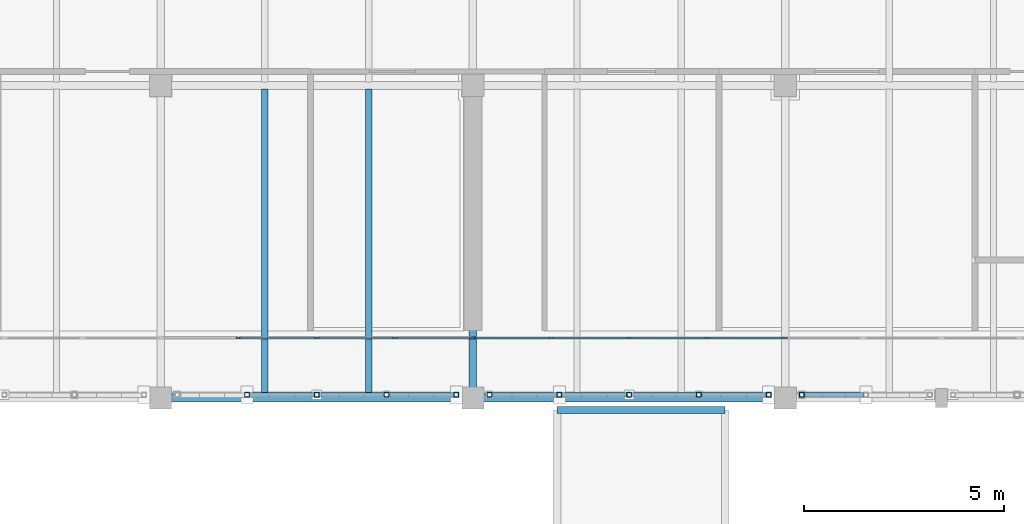
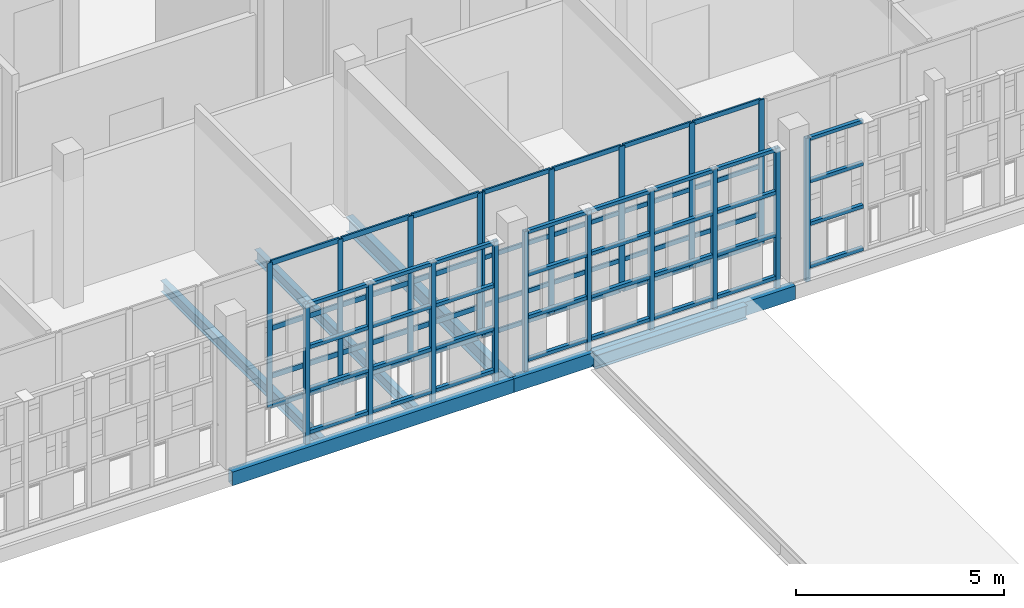
# One storey, part 52 of 119: 79 members, 6 beams, 2 elements without a shape of their own.
"""IFC4 building model written with IfcOpenShell, lengths in metres."""

from ifc_helpers import new_model, si_unit, direction, frame, origin, origin_2d, place, context, subcontext, project, spatial, rectangle, hollow_rectangle, i_section, extrude, material, layer, layer_set, material_profile, profile_set, type_object, element, aggregate, save


model = new_model("IFC4")

# Units and contexts
model_context = context("Model", 3, precision=1e-05, world=origin(), true_north=direction((0.0, 1.0)))
body_context = subcontext(model_context, "Body", "Model", "MODEL_VIEW")
ifc_project = project(units=[si_unit("LENGTHUNIT", "METRE"), si_unit("AREAUNIT", "SQUARE_METRE"), si_unit("VOLUMEUNIT", "CUBIC_METRE"), si_unit("PLANEANGLEUNIT", "RADIAN"), si_unit("MASSUNIT", "GRAM", prefix="KILO")], contexts=[model_context])

# Site, building, storey
site_placement = place(None, origin())
site = spatial("IfcSite", under=ifc_project, at=site_placement, CompositionType="ELEMENT")
building_placement = place(site_placement, origin())
building = spatial("IfcBuilding", under=site, at=building_placement, Name="Celorna Specialist Clinic", CompositionType="ELEMENT")
storey_placement = place(building_placement, frame((0.0, 0.0, 9.60009765625)))
storey = spatial("IfcBuildingStorey", under=building, at=storey_placement, Name="L02", CompositionType="ELEMENT", Elevation=9.60009765625)

# Beams
ifc_material_1 = material(Name="Steel S355", Category="steel")
ifc_material_profile_1 = material_profile(ifc_material_1, i_section(OverallWidth=0.18994140625, OverallDepth=0.449951171875, WebThickness=0.009521484375, FlangeThickness=0.0146484375, at=origin_2d()), Name="IPE 450")
ifc_profile_set_1 = profile_set([ifc_material_profile_1], Name="Steel S355")
beam_type_1 = type_object("IfcBeamType", Name="BM-09", PredefinedType="BEAM", material=ifc_profile_set_1)
beam_1_placement = place(storey_placement, frame((70.199951171875, 96.5, -0.485107421875), z_axis=(0.0, 1.0, 0.0), x_axis=(-1.0, 0.0, 0.0)))
element("IfcBeam", 1, at=beam_1_placement, inside=storey, type_object=beam_type_1, Name="Transverse girder BM-09 #1119", PredefinedType="BEAM", context=body_context, shape_type="SweptSolid", body=[
    extrude(i_section(OverallWidth=0.18994140625, OverallDepth=0.449951171875, WebThickness=0.009521484375, FlangeThickness=0.0146484375, at=origin_2d()), origin(), (0.0, 0.0, 1.0), 7.800048828125),
])
ifc_material_profile_2 = material_profile(ifc_material_1, i_section(OverallWidth=0.179931640625, OverallDepth=0.39990234375, WebThickness=0.008544921875, FlangeThickness=0.013427734375, at=origin_2d()), Name="IPE 400")
ifc_profile_set_2 = profile_set([ifc_material_profile_2], Name="Steel S355")
beam_type_2 = type_object("IfcBeamType", Name="BM-10", PredefinedType="BEAM", material=ifc_profile_set_2)
beam_2_placement = place(storey_placement, frame((72.300048828125, 96.199951171875, -0.340087890625), z_axis=(1.0, 0.0, 0.0), x_axis=(0.0, 1.0, 0.0)))
element("IfcBeam", 2, at=beam_2_placement, inside=storey, type_object=beam_type_2, Name="Bridge BR-04 roof end beam BM-10 #109", PredefinedType="BEAM", context=body_context, shape_type="SweptSolid", body=[
    extrude(i_section(OverallWidth=0.179931640625, OverallDepth=0.39990234375, WebThickness=0.008544921875, FlangeThickness=0.013427734375, at=origin_2d()), origin(), (0.0, 0.0, 1.0), 4.199951171875),
])
ifc_material_profile_3 = material_profile(ifc_material_1, i_section(OverallWidth=0.159912109375, OverallDepth=0.330078125, WebThickness=0.007568359375, FlangeThickness=0.011474609375, at=origin_2d()), Name="IPE 330")
ifc_profile_set_3 = profile_set([ifc_material_profile_3], Name="Steel S355")
beam_type_3 = type_object("IfcBeamType", Name="BM-12", PredefinedType="JOIST", material=ifc_profile_set_3)
for number, where, z_axis, x_axis, name in (
    (3, (65.0, 96.587890625, -0.425048828125), (0.0, 1.0, 0.0), (-1.0, 0.0, 0.0), "Secondary floor joist BM-12 #1155"),
    (4, (67.60009765625, 96.587890625, -0.425048828125), (0.0, 1.0, 0.0), (-1.0, 0.0, 0.0), "Secondary floor joist BM-12 #1156"),
):
    element("IfcBeam", number, at=place(storey_placement, frame(where, z_axis=z_axis, x_axis=x_axis)), inside=storey, type_object=beam_type_3, Name=name, PredefinedType="JOIST", context=body_context, shape_type="SweptSolid", body=[
        extrude(i_section(OverallWidth=0.159912109375, OverallDepth=0.330078125, WebThickness=0.007568359375, FlangeThickness=0.011474609375, at=origin_2d()), origin(), (0.0, 0.0, 1.0), 7.6240234375),
    ])
ifc_material_profile_4 = material_profile(ifc_material_1, hollow_rectangle(XDim=0.199951171875, YDim=0.39990234375, WallThickness=0.011962890625, at=origin_2d()), Name="RHS 200x400x12")
ifc_profile_set_4 = profile_set([ifc_material_profile_4], Name="Steel S355")
beam_type_4 = type_object("IfcBeamType", Name="BM-15", PredefinedType="SPANDREL", material=ifc_profile_set_4)
for number, where, z_axis, x_axis, name in (
    (5, (62.39990234375, 96.5, -0.460205078125), (1.0, 0.0, 0.0), (0.0, 1.0, 0.0), "Spandrel beam BM-15 #1068"),
    (6, (70.199951171875, 96.5, -0.460205078125), (1.0, 0.0, 0.0), (0.0, 1.0, 0.0), "Spandrel beam BM-15 #1069"),
):
    element("IfcBeam", number, at=place(storey_placement, frame(where, z_axis=z_axis, x_axis=x_axis)), inside=storey, type_object=beam_type_4, Name=name, PredefinedType="SPANDREL", context=body_context, shape_type="SweptSolid", body=[
        extrude(hollow_rectangle(XDim=0.199951171875, YDim=0.39990234375, WallThickness=0.011962890625, at=origin_2d()), origin(), (0.0, 0.0, 1.0), 7.800048828125),
    ])

# Members
ifc_material_profile_5 = material_profile(ifc_material_1, hollow_rectangle(XDim=0.1201171875, YDim=0.1201171875, WallThickness=0.008056640625, at=origin_2d()), Name="SHS 120x120x8")
ifc_profile_set_5 = profile_set([ifc_material_profile_5], Name="Steel S355")
member_type_1 = type_object("IfcMemberType", Name="MB-11", PredefinedType="STUD", material=ifc_profile_set_5)
for number, where, z_axis, x_axis, name in (
    (7, (64.5576171875, 96.580078125, -0.360107421875), (0.0, 0.0, 1.0), (1.0, 0.0, 0.0), "Perforated screen steel post #1039"),
    (8, (66.300048828125, 96.580078125, -0.360107421875), (0.0, 0.0, 1.0), (1.0, 0.0, 0.0), "Perforated screen steel post #1040"),
    (9, (68.04248046875, 96.580078125, -0.360107421875), (0.0, 0.0, 1.0), (1.0, 0.0, 0.0), "Perforated screen steel post #1041"),
    (10, (69.784912109375, 96.580078125, -0.360107421875), (0.0, 0.0, 1.0), (1.0, 0.0, 0.0), "Perforated screen steel post #1042"),
    (11, (70.614990234375, 96.580078125, -0.360107421875), (0.0, 0.0, 1.0), (1.0, 0.0, 0.0), "Perforated screen steel post #1059"),
    (12, (72.357421875, 96.580078125, -0.360107421875), (0.0, 0.0, 1.0), (1.0, 0.0, 0.0), "Perforated screen steel post #1060"),
    (13, (74.10009765625, 96.580078125, -0.360107421875), (0.0, 0.0, 1.0), (1.0, 0.0, 0.0), "Perforated screen steel post #1061"),
    (14, (75.842529296875, 96.580078125, -0.360107421875), (0.0, 0.0, 1.0), (1.0, 0.0, 0.0), "Perforated screen steel post #1062"),
    (15, (77.5849609375, 96.580078125, -0.360107421875), (0.0, 0.0, 1.0), (1.0, 0.0, 0.0), "Perforated screen steel post #1063"),
    (16, (78.4150390625, 96.580078125, -0.360107421875), (0.0, 0.0, 1.0), (1.0, 0.0, 0.0), "Perforated screen steel post #1080"),
):
    element("IfcMember", number, at=place(storey_placement, frame(where, z_axis=z_axis, x_axis=x_axis)), inside=storey, type_object=member_type_1, Name=name, PredefinedType="STUD", context=body_context, shape_type="SweptSolid", body=[
        extrude(hollow_rectangle(XDim=0.1201171875, YDim=0.1201171875, WallThickness=0.008056640625, at=origin_2d()), origin(), (0.0, 0.0, 1.0), 4.199951171875),
    ])
ifc_material_profile_6 = material_profile(ifc_material_1, hollow_rectangle(XDim=0.10009765625, YDim=0.10009765625, WallThickness=0.006103515625, at=origin_2d()), Name="SHS 100x100x6")
ifc_profile_set_6 = profile_set([ifc_material_profile_6], Name="Steel S355")
member_type_2 = type_object("IfcMemberType", Name="MB-12", PredefinedType="STUD", material=ifc_profile_set_6)
for number, where, z_axis, x_axis, name in (
    (17, (64.617431640625, 96.580078125, 0.0498046875), (1.0, 0.0, 0.0), (0.0, 1.0, 0.0), "Perforated screen rail #1047"),
    (18, (64.617431640625, 96.580078125, 1.296630859375), (1.0, 0.0, 0.0), (0.0, 1.0, 0.0), "Perforated screen rail #1048"),
    (19, (64.617431640625, 96.580078125, 2.543212890625), (1.0, 0.0, 0.0), (0.0, 1.0, 0.0), "Perforated screen rail #1049"),
    (20, (64.617431640625, 96.580078125, 3.789794921875), (1.0, 0.0, 0.0), (0.0, 1.0, 0.0), "Perforated screen rail #1050"),
):
    element("IfcMember", number, at=place(storey_placement, frame(where, z_axis=z_axis, x_axis=x_axis)), inside=storey, type_object=member_type_2, Name=name, PredefinedType="STUD", context=body_context, shape_type="SweptSolid", body=[
        extrude(hollow_rectangle(XDim=0.10009765625, YDim=0.10009765625, WallThickness=0.006103515625, at=origin_2d()), origin(), (0.0, 0.0, 1.0), 1.62255859375),
    ])
for number, where, z_axis, x_axis, name in (
    (21, (66.360107421875, 96.580078125, 0.0498046875), (1.0, 0.0, 0.0), (0.0, 1.0, 0.0), "Perforated screen rail #1051"),
    (22, (66.360107421875, 96.580078125, 1.296630859375), (1.0, 0.0, 0.0), (0.0, 1.0, 0.0), "Perforated screen rail #1052"),
    (23, (66.360107421875, 96.580078125, 2.543212890625), (1.0, 0.0, 0.0), (0.0, 1.0, 0.0), "Perforated screen rail #1053"),
    (24, (66.360107421875, 96.580078125, 3.789794921875), (1.0, 0.0, 0.0), (0.0, 1.0, 0.0), "Perforated screen rail #1054"),
):
    element("IfcMember", number, at=place(storey_placement, frame(where, z_axis=z_axis, x_axis=x_axis)), inside=storey, type_object=member_type_2, Name=name, PredefinedType="STUD", context=body_context, shape_type="SweptSolid", body=[
        extrude(hollow_rectangle(XDim=0.10009765625, YDim=0.10009765625, WallThickness=0.006103515625, at=origin_2d()), origin(), (0.0, 0.0, 1.0), 1.622314453125),
    ])
for number, where, z_axis, x_axis, name in (
    (25, (68.1025390625, 96.580078125, 0.0498046875), (1.0, 0.0, 0.0), (0.0, 1.0, 0.0), "Perforated screen rail #1055"),
    (26, (68.1025390625, 96.580078125, 1.296630859375), (1.0, 0.0, 0.0), (0.0, 1.0, 0.0), "Perforated screen rail #1056"),
    (27, (68.1025390625, 96.580078125, 2.543212890625), (1.0, 0.0, 0.0), (0.0, 1.0, 0.0), "Perforated screen rail #1057"),
    (28, (68.1025390625, 96.580078125, 3.789794921875), (1.0, 0.0, 0.0), (0.0, 1.0, 0.0), "Perforated screen rail #1058"),
    (29, (70.675048828125, 96.580078125, 0.0498046875), (1.0, 0.0, 0.0), (0.0, 1.0, 0.0), "Perforated screen rail #1064"),
    (30, (70.675048828125, 96.580078125, 1.296630859375), (1.0, 0.0, 0.0), (0.0, 1.0, 0.0), "Perforated screen rail #1065"),
    (31, (70.675048828125, 96.580078125, 2.543212890625), (1.0, 0.0, 0.0), (0.0, 1.0, 0.0), "Perforated screen rail #1066"),
    (32, (70.675048828125, 96.580078125, 3.789794921875), (1.0, 0.0, 0.0), (0.0, 1.0, 0.0), "Perforated screen rail #1067"),
    (33, (72.41748046875, 96.580078125, 0.0498046875), (1.0, 0.0, 0.0), (0.0, 1.0, 0.0), "Perforated screen rail #1068"),
    (34, (72.41748046875, 96.580078125, 1.296630859375), (1.0, 0.0, 0.0), (0.0, 1.0, 0.0), "Perforated screen rail #1069"),
    (35, (72.41748046875, 96.580078125, 2.543212890625), (1.0, 0.0, 0.0), (0.0, 1.0, 0.0), "Perforated screen rail #1070"),
    (36, (72.41748046875, 96.580078125, 3.789794921875), (1.0, 0.0, 0.0), (0.0, 1.0, 0.0), "Perforated screen rail #1071"),
    (37, (74.159912109375, 96.580078125, 0.0498046875), (1.0, 0.0, 0.0), (0.0, 1.0, 0.0), "Perforated screen rail #1072"),
    (38, (74.159912109375, 96.580078125, 1.296630859375), (1.0, 0.0, 0.0), (0.0, 1.0, 0.0), "Perforated screen rail #1073"),
    (39, (74.159912109375, 96.580078125, 2.543212890625), (1.0, 0.0, 0.0), (0.0, 1.0, 0.0), "Perforated screen rail #1074"),
    (40, (74.159912109375, 96.580078125, 3.789794921875), (1.0, 0.0, 0.0), (0.0, 1.0, 0.0), "Perforated screen rail #1075"),
):
    element("IfcMember", number, at=place(storey_placement, frame(where, z_axis=z_axis, x_axis=x_axis)), inside=storey, type_object=member_type_2, Name=name, PredefinedType="STUD", context=body_context, shape_type="SweptSolid", body=[
        extrude(hollow_rectangle(XDim=0.10009765625, YDim=0.10009765625, WallThickness=0.006103515625, at=origin_2d()), origin(), (0.0, 0.0, 1.0), 1.62255859375),
    ])
for number, where, z_axis, x_axis, name in (
    (41, (75.902587890625, 96.580078125, 0.0498046875), (1.0, 0.0, 0.0), (0.0, 1.0, 0.0), "Perforated screen rail #1076"),
    (42, (75.902587890625, 96.580078125, 1.296630859375), (1.0, 0.0, 0.0), (0.0, 1.0, 0.0), "Perforated screen rail #1077"),
    (43, (75.902587890625, 96.580078125, 2.543212890625), (1.0, 0.0, 0.0), (0.0, 1.0, 0.0), "Perforated screen rail #1078"),
    (44, (75.902587890625, 96.580078125, 3.789794921875), (1.0, 0.0, 0.0), (0.0, 1.0, 0.0), "Perforated screen rail #1079"),
):
    element("IfcMember", number, at=place(storey_placement, frame(where, z_axis=z_axis, x_axis=x_axis)), inside=storey, type_object=member_type_2, Name=name, PredefinedType="STUD", context=body_context, shape_type="SweptSolid", body=[
        extrude(hollow_rectangle(XDim=0.10009765625, YDim=0.10009765625, WallThickness=0.006103515625, at=origin_2d()), origin(), (0.0, 0.0, 1.0), 1.622314453125),
    ])
for number, where, z_axis, x_axis, name in (
    (45, (78.47509765625, 96.580078125, 0.0498046875), (1.0, 0.0, 0.0), (0.0, 1.0, 0.0), "Perforated screen rail #1083"),
    (46, (78.47509765625, 96.580078125, 1.296630859375), (1.0, 0.0, 0.0), (0.0, 1.0, 0.0), "Perforated screen rail #1084"),
    (47, (78.47509765625, 96.580078125, 2.543212890625), (1.0, 0.0, 0.0), (0.0, 1.0, 0.0), "Perforated screen rail #1085"),
    (48, (78.47509765625, 96.580078125, 3.789794921875), (1.0, 0.0, 0.0), (0.0, 1.0, 0.0), "Perforated screen rail #1086"),
):
    element("IfcMember", number, at=place(storey_placement, frame(where, z_axis=z_axis, x_axis=x_axis)), inside=storey, type_object=member_type_2, Name=name, PredefinedType="STUD", context=body_context, shape_type="SweptSolid", body=[
        extrude(hollow_rectangle(XDim=0.10009765625, YDim=0.10009765625, WallThickness=0.006103515625, at=origin_2d()), origin(), (0.0, 0.0, 1.0), 1.477294921875),
    ])

# Curtain wall, members
ifc_material_2 = material(Name="Thermally broken aluminium and solar-control glass curtain wall", Category="aluminium")
ifc_layer_1 = layer(ifc_material_2, 0.159912109375, Name="Thermally broken aluminium and solar-control glass curtain wall")
ifc_layer_set_1 = layer_set([ifc_layer_1], Name="Thermally broken aluminium and solar-control glass curtain wall")
curtain_wall_type_1 = type_object("IfcCurtainWallType", Name="CW-68", PredefinedType="NOTDEFINED", material=ifc_layer_set_1)
curtain_wall_1_placement = place(storey_placement, origin())
curtain_wall_1 = element("IfcCurtainWall", 49, at=curtain_wall_1_placement, inside=storey, type_object=curtain_wall_type_1, Name="Curtain wall CW-68 #123", PredefinedType="NOTDEFINED")
ifc_material_3 = material(Name="Anodized aluminium mullion", Category="aluminium")
ifc_material_profile_7 = material_profile(ifc_material_3, rectangle(XDim=0.050048828125, YDim=0.159912109375, at=origin_2d()), Name="ALU MULLION 50x160")
ifc_profile_set_7 = profile_set([ifc_material_profile_7], Name="Anodized aluminium mullion")
member_type_3 = type_object("IfcMemberType", Name="ML-01", PredefinedType="MULLION", material=ifc_profile_set_7)
member_1_placement = place(storey_placement, frame((77.970947265625, 98.0, 0.0), z_axis=(0.0, 0.0, 1.0), x_axis=(0.0, -1.0, 0.0)))
member_1 = element("IfcMember", 50, at=member_1_placement, type_object=member_type_3, Name="CW-68 mullion 1", PredefinedType="MULLION", context=body_context, shape_type="SweptSolid", body=[
    extrude(rectangle(XDim=0.050048828125, YDim=0.159912109375, at=origin_2d()), origin(), (0.0, 0.0, 1.0), 4.239990234375),
])
member_2_placement = place(storey_placement, frame((76.048095703125, 98.0, 0.0), z_axis=(0.0, 0.0, 1.0), x_axis=(0.0, -1.0, 0.0)))
member_2 = element("IfcMember", 51, at=member_2_placement, type_object=member_type_3, Name="CW-68 mullion 2", PredefinedType="MULLION", context=body_context, shape_type="SweptSolid", body=[
    extrude(rectangle(XDim=0.050048828125, YDim=0.159912109375, at=origin_2d()), origin(), (0.0, 0.0, 1.0), 4.239990234375),
])
member_3_placement = place(storey_placement, frame((74.10009765625, 98.0, 0.0), z_axis=(0.0, 0.0, 1.0), x_axis=(0.0, -1.0, 0.0)))
member_3 = element("IfcMember", 52, at=member_3_placement, type_object=member_type_3, Name="CW-68 mullion 3", PredefinedType="MULLION", context=body_context, shape_type="SweptSolid", body=[
    extrude(rectangle(XDim=0.050048828125, YDim=0.159912109375, at=origin_2d()), origin(), (0.0, 0.0, 1.0), 4.239990234375),
])
member_4_placement = place(storey_placement, frame((72.152099609375, 98.0, 0.0), z_axis=(0.0, 0.0, 1.0), x_axis=(0.0, -1.0, 0.0)))
member_4 = element("IfcMember", 53, at=member_4_placement, type_object=member_type_3, Name="CW-68 mullion 4", PredefinedType="MULLION", context=body_context, shape_type="SweptSolid", body=[
    extrude(rectangle(XDim=0.050048828125, YDim=0.159912109375, at=origin_2d()), origin(), (0.0, 0.0, 1.0), 4.239990234375),
])
member_5_placement = place(storey_placement, frame((70.22900390625, 98.0, 0.0), z_axis=(0.0, 0.0, 1.0), x_axis=(0.0, -1.0, 0.0)))
member_5 = element("IfcMember", 54, at=member_5_placement, type_object=member_type_3, Name="CW-68 mullion 5", PredefinedType="MULLION", context=body_context, shape_type="SweptSolid", body=[
    extrude(rectangle(XDim=0.050048828125, YDim=0.159912109375, at=origin_2d()), origin(), (0.0, 0.0, 1.0), 4.239990234375),
])

ifc_layer_2 = layer(ifc_material_2, 0.159912109375, Name="Thermally broken aluminium and solar-control glass curtain wall")
ifc_layer_set_2 = layer_set([ifc_layer_2], Name="Thermally broken aluminium and solar-control glass curtain wall")
curtain_wall_type_2 = type_object("IfcCurtainWallType", Name="CW-32", PredefinedType="NOTDEFINED", material=ifc_layer_set_2)
curtain_wall_2_placement = place(storey_placement, origin())
curtain_wall_2 = element("IfcCurtainWall", 55, at=curtain_wall_2_placement, inside=storey, type_object=curtain_wall_type_2, Name="Curtain wall CW-32 #122", PredefinedType="NOTDEFINED")
ifc_material_profile_8 = material_profile(ifc_material_3, rectangle(XDim=0.050048828125, YDim=0.139892578125, at=origin_2d()), Name="ALU MULLION 50x140")
ifc_profile_set_8 = profile_set([ifc_material_profile_8], Name="Anodized aluminium mullion")
member_type_4 = type_object("IfcMemberType", Name="ML-03", PredefinedType="MULLION", material=ifc_profile_set_8)
member_6_placement = place(storey_placement, frame((70.1708984375, 98.0, 0.0), z_axis=(0.0, 0.0, 1.0), x_axis=(0.0, -1.0, 0.0)))
member_6 = element("IfcMember", 56, at=member_6_placement, type_object=member_type_4, Name="CW-32 mullion 1", PredefinedType="MULLION", context=body_context, shape_type="SweptSolid", body=[
    extrude(rectangle(XDim=0.050048828125, YDim=0.139892578125, at=origin_2d()), origin(), (0.0, 0.0, 1.0), 4.239990234375),
])
member_7_placement = place(storey_placement, frame((68.248046875, 98.0, 0.0), z_axis=(0.0, 0.0, 1.0), x_axis=(0.0, -1.0, 0.0)))
member_7 = element("IfcMember", 57, at=member_7_placement, type_object=member_type_4, Name="CW-32 mullion 2", PredefinedType="MULLION", context=body_context, shape_type="SweptSolid", body=[
    extrude(rectangle(XDim=0.050048828125, YDim=0.139892578125, at=origin_2d()), origin(), (0.0, 0.0, 1.0), 4.239990234375),
])
member_8_placement = place(storey_placement, frame((66.300048828125, 98.0, 0.0), z_axis=(0.0, 0.0, 1.0), x_axis=(0.0, -1.0, 0.0)))
member_8 = element("IfcMember", 58, at=member_8_placement, type_object=member_type_4, Name="CW-32 mullion 3", PredefinedType="MULLION", context=body_context, shape_type="SweptSolid", body=[
    extrude(rectangle(XDim=0.050048828125, YDim=0.139892578125, at=origin_2d()), origin(), (0.0, 0.0, 1.0), 4.239990234375),
])
member_9_placement = place(storey_placement, frame((64.35205078125, 98.0, 0.0), z_axis=(0.0, 0.0, 1.0), x_axis=(0.0, -1.0, 0.0)))
member_9 = element("IfcMember", 59, at=member_9_placement, type_object=member_type_4, Name="CW-32 mullion 4", PredefinedType="MULLION", context=body_context, shape_type="SweptSolid", body=[
    extrude(rectangle(XDim=0.050048828125, YDim=0.139892578125, at=origin_2d()), origin(), (0.0, 0.0, 1.0), 4.239990234375),
])

# Member
ifc_material_4 = material(Name="Anodized aluminium transom", Category="aluminium")
ifc_material_profile_9 = material_profile(ifc_material_4, rectangle(XDim=0.050048828125, YDim=0.1298828125, at=origin_2d()), Name="ALU TRANSOM 50x130")
ifc_profile_set_9 = profile_set([ifc_material_profile_9], Name="Anodized aluminium transom")
member_type_5 = type_object("IfcMemberType", Name="TR-01", PredefinedType="USERDEFINED", material=ifc_profile_set_9)
member_10_placement = place(storey_placement, frame((77.946044921875, 98.0, 0.02490234375), z_axis=(-1.0, 0.0, 0.0), x_axis=(0.0, -1.0, 0.0)))
member_10 = element("IfcMember", 60, at=member_10_placement, type_object=member_type_5, Name="CW-68 transom 1.1", ObjectType="TRANSOM", PredefinedType="USERDEFINED", context=body_context, shape_type="SweptSolid", body=[
    extrude(rectangle(XDim=0.050048828125, YDim=0.1298828125, at=origin_2d()), origin(), (0.0, 0.0, 1.0), 1.873046875),
])

member_11_placement = place(storey_placement, frame((77.946044921875, 98.0, 0.89990234375), z_axis=(-1.0, 0.0, 0.0), x_axis=(0.0, -1.0, 0.0)))
member_11 = element("IfcMember", 61, at=member_11_placement, type_object=member_type_5, Name="CW-68 transom 1.2", ObjectType="TRANSOM", PredefinedType="USERDEFINED", context=body_context, shape_type="SweptSolid", body=[
    extrude(rectangle(XDim=0.050048828125, YDim=0.1298828125, at=origin_2d()), origin(), (0.0, 0.0, 1.0), 1.873046875),
])

member_12_placement = place(storey_placement, frame((77.946044921875, 98.0, 2.2998046875), z_axis=(-1.0, 0.0, 0.0), x_axis=(0.0, -1.0, 0.0)))
member_12 = element("IfcMember", 62, at=member_12_placement, type_object=member_type_5, Name="CW-68 transom 1.3", ObjectType="TRANSOM", PredefinedType="USERDEFINED", context=body_context, shape_type="SweptSolid", body=[
    extrude(rectangle(XDim=0.050048828125, YDim=0.1298828125, at=origin_2d()), origin(), (0.0, 0.0, 1.0), 1.873046875),
])

member_13_placement = place(storey_placement, frame((77.946044921875, 98.0, 4.21484375), z_axis=(-1.0, 0.0, 0.0), x_axis=(0.0, -1.0, 0.0)))
member_13 = element("IfcMember", 63, at=member_13_placement, type_object=member_type_5, Name="CW-68 transom 1.4", ObjectType="TRANSOM", PredefinedType="USERDEFINED", context=body_context, shape_type="SweptSolid", body=[
    extrude(rectangle(XDim=0.050048828125, YDim=0.1298828125, at=origin_2d()), origin(), (0.0, 0.0, 1.0), 1.873046875),
])

member_14_placement = place(storey_placement, frame((76.02294921875, 98.0, 0.02490234375), z_axis=(-1.0, 0.0, 0.0), x_axis=(0.0, -1.0, 0.0)))
member_14 = element("IfcMember", 64, at=member_14_placement, type_object=member_type_5, Name="CW-68 transom 2.1", ObjectType="TRANSOM", PredefinedType="USERDEFINED", context=body_context, shape_type="SweptSolid", body=[
    extrude(rectangle(XDim=0.050048828125, YDim=0.1298828125, at=origin_2d()), origin(), (0.0, 0.0, 1.0), 1.89794921875),
])

member_15_placement = place(storey_placement, frame((76.02294921875, 98.0, 0.89990234375), z_axis=(-1.0, 0.0, 0.0), x_axis=(0.0, -1.0, 0.0)))
member_15 = element("IfcMember", 65, at=member_15_placement, type_object=member_type_5, Name="CW-68 transom 2.2", ObjectType="TRANSOM", PredefinedType="USERDEFINED", context=body_context, shape_type="SweptSolid", body=[
    extrude(rectangle(XDim=0.050048828125, YDim=0.1298828125, at=origin_2d()), origin(), (0.0, 0.0, 1.0), 1.89794921875),
])

member_16_placement = place(storey_placement, frame((76.02294921875, 98.0, 2.2998046875), z_axis=(-1.0, 0.0, 0.0), x_axis=(0.0, -1.0, 0.0)))
member_16 = element("IfcMember", 66, at=member_16_placement, type_object=member_type_5, Name="CW-68 transom 2.3", ObjectType="TRANSOM", PredefinedType="USERDEFINED", context=body_context, shape_type="SweptSolid", body=[
    extrude(rectangle(XDim=0.050048828125, YDim=0.1298828125, at=origin_2d()), origin(), (0.0, 0.0, 1.0), 1.89794921875),
])

member_17_placement = place(storey_placement, frame((76.02294921875, 98.0, 4.21484375), z_axis=(-1.0, 0.0, 0.0), x_axis=(0.0, -1.0, 0.0)))
member_17 = element("IfcMember", 67, at=member_17_placement, type_object=member_type_5, Name="CW-68 transom 2.4", ObjectType="TRANSOM", PredefinedType="USERDEFINED", context=body_context, shape_type="SweptSolid", body=[
    extrude(rectangle(XDim=0.050048828125, YDim=0.1298828125, at=origin_2d()), origin(), (0.0, 0.0, 1.0), 1.89794921875),
])

member_18_placement = place(storey_placement, frame((74.074951171875, 98.0, 0.02490234375), z_axis=(-1.0, 0.0, 0.0), x_axis=(0.0, -1.0, 0.0)))
member_18 = element("IfcMember", 68, at=member_18_placement, type_object=member_type_5, Name="CW-68 transom 3.1", ObjectType="TRANSOM", PredefinedType="USERDEFINED", context=body_context, shape_type="SweptSolid", body=[
    extrude(rectangle(XDim=0.050048828125, YDim=0.1298828125, at=origin_2d()), origin(), (0.0, 0.0, 1.0), 1.89794921875),
])

member_19_placement = place(storey_placement, frame((74.074951171875, 98.0, 0.89990234375), z_axis=(-1.0, 0.0, 0.0), x_axis=(0.0, -1.0, 0.0)))
member_19 = element("IfcMember", 69, at=member_19_placement, type_object=member_type_5, Name="CW-68 transom 3.2", ObjectType="TRANSOM", PredefinedType="USERDEFINED", context=body_context, shape_type="SweptSolid", body=[
    extrude(rectangle(XDim=0.050048828125, YDim=0.1298828125, at=origin_2d()), origin(), (0.0, 0.0, 1.0), 1.89794921875),
])

member_20_placement = place(storey_placement, frame((74.074951171875, 98.0, 2.2998046875), z_axis=(-1.0, 0.0, 0.0), x_axis=(0.0, -1.0, 0.0)))
member_20 = element("IfcMember", 70, at=member_20_placement, type_object=member_type_5, Name="CW-68 transom 3.3", ObjectType="TRANSOM", PredefinedType="USERDEFINED", context=body_context, shape_type="SweptSolid", body=[
    extrude(rectangle(XDim=0.050048828125, YDim=0.1298828125, at=origin_2d()), origin(), (0.0, 0.0, 1.0), 1.89794921875),
])

member_21_placement = place(storey_placement, frame((74.074951171875, 98.0, 4.21484375), z_axis=(-1.0, 0.0, 0.0), x_axis=(0.0, -1.0, 0.0)))
member_21 = element("IfcMember", 71, at=member_21_placement, type_object=member_type_5, Name="CW-68 transom 3.4", ObjectType="TRANSOM", PredefinedType="USERDEFINED", context=body_context, shape_type="SweptSolid", body=[
    extrude(rectangle(XDim=0.050048828125, YDim=0.1298828125, at=origin_2d()), origin(), (0.0, 0.0, 1.0), 1.89794921875),
])

member_22_placement = place(storey_placement, frame((72.126953125, 98.0, 0.02490234375), z_axis=(-1.0, 0.0, 0.0), x_axis=(0.0, -1.0, 0.0)))
member_22 = element("IfcMember", 72, at=member_22_placement, type_object=member_type_5, Name="CW-68 transom 4.1", ObjectType="TRANSOM", PredefinedType="USERDEFINED", context=body_context, shape_type="SweptSolid", body=[
    extrude(rectangle(XDim=0.050048828125, YDim=0.1298828125, at=origin_2d()), origin(), (0.0, 0.0, 1.0), 1.873046875),
])

member_23_placement = place(storey_placement, frame((72.126953125, 98.0, 0.89990234375), z_axis=(-1.0, 0.0, 0.0), x_axis=(0.0, -1.0, 0.0)))
member_23 = element("IfcMember", 73, at=member_23_placement, type_object=member_type_5, Name="CW-68 transom 4.2", ObjectType="TRANSOM", PredefinedType="USERDEFINED", context=body_context, shape_type="SweptSolid", body=[
    extrude(rectangle(XDim=0.050048828125, YDim=0.1298828125, at=origin_2d()), origin(), (0.0, 0.0, 1.0), 1.873046875),
])

member_24_placement = place(storey_placement, frame((72.126953125, 98.0, 2.2998046875), z_axis=(-1.0, 0.0, 0.0), x_axis=(0.0, -1.0, 0.0)))
member_24 = element("IfcMember", 74, at=member_24_placement, type_object=member_type_5, Name="CW-68 transom 4.3", ObjectType="TRANSOM", PredefinedType="USERDEFINED", context=body_context, shape_type="SweptSolid", body=[
    extrude(rectangle(XDim=0.050048828125, YDim=0.1298828125, at=origin_2d()), origin(), (0.0, 0.0, 1.0), 1.873046875),
])

member_25_placement = place(storey_placement, frame((72.126953125, 98.0, 4.21484375), z_axis=(-1.0, 0.0, 0.0), x_axis=(0.0, -1.0, 0.0)))
member_25 = element("IfcMember", 75, at=member_25_placement, type_object=member_type_5, Name="CW-68 transom 4.4", ObjectType="TRANSOM", PredefinedType="USERDEFINED", context=body_context, shape_type="SweptSolid", body=[
    extrude(rectangle(XDim=0.050048828125, YDim=0.1298828125, at=origin_2d()), origin(), (0.0, 0.0, 1.0), 1.873046875),
])

aggregate(curtain_wall_1, [member_1, member_2, member_3, member_4, member_5, member_10, member_11, member_12, member_13, member_14, member_15, member_16, member_17, member_18, member_19, member_20, member_21, member_22, member_23, member_24, member_25])

ifc_material_profile_10 = material_profile(ifc_material_4, rectangle(XDim=0.050048828125, YDim=0.14990234375, at=origin_2d()), Name="ALU TRANSOM 50x150")
ifc_profile_set_10 = profile_set([ifc_material_profile_10], Name="Anodized aluminium transom")
member_type_6 = type_object("IfcMemberType", Name="TR-02", PredefinedType="USERDEFINED", material=ifc_profile_set_10)
member_26_placement = place(storey_placement, frame((70.14599609375, 98.0, 0.02490234375), z_axis=(-1.0, 0.0, 0.0), x_axis=(0.0, -1.0, 0.0)))
member_26 = element("IfcMember", 76, at=member_26_placement, type_object=member_type_6, Name="CW-32 transom 1.1", ObjectType="TRANSOM", PredefinedType="USERDEFINED", context=body_context, shape_type="SweptSolid", body=[
    extrude(rectangle(XDim=0.050048828125, YDim=0.14990234375, at=origin_2d()), origin(), (0.0, 0.0, 1.0), 1.873046875),
])

member_27_placement = place(storey_placement, frame((70.14599609375, 98.0, 0.89990234375), z_axis=(-1.0, 0.0, 0.0), x_axis=(0.0, -1.0, 0.0)))
member_27 = element("IfcMember", 77, at=member_27_placement, type_object=member_type_6, Name="CW-32 transom 1.2", ObjectType="TRANSOM", PredefinedType="USERDEFINED", context=body_context, shape_type="SweptSolid", body=[
    extrude(rectangle(XDim=0.050048828125, YDim=0.14990234375, at=origin_2d()), origin(), (0.0, 0.0, 1.0), 1.873046875),
])

member_28_placement = place(storey_placement, frame((70.14599609375, 98.0, 2.2998046875), z_axis=(-1.0, 0.0, 0.0), x_axis=(0.0, -1.0, 0.0)))
member_28 = element("IfcMember", 78, at=member_28_placement, type_object=member_type_6, Name="CW-32 transom 1.3", ObjectType="TRANSOM", PredefinedType="USERDEFINED", context=body_context, shape_type="SweptSolid", body=[
    extrude(rectangle(XDim=0.050048828125, YDim=0.14990234375, at=origin_2d()), origin(), (0.0, 0.0, 1.0), 1.873046875),
])

member_29_placement = place(storey_placement, frame((70.14599609375, 98.0, 4.21484375), z_axis=(-1.0, 0.0, 0.0), x_axis=(0.0, -1.0, 0.0)))
member_29 = element("IfcMember", 79, at=member_29_placement, type_object=member_type_6, Name="CW-32 transom 1.4", ObjectType="TRANSOM", PredefinedType="USERDEFINED", context=body_context, shape_type="SweptSolid", body=[
    extrude(rectangle(XDim=0.050048828125, YDim=0.14990234375, at=origin_2d()), origin(), (0.0, 0.0, 1.0), 1.873046875),
])

member_30_placement = place(storey_placement, frame((68.222900390625, 98.0, 0.02490234375), z_axis=(-1.0, 0.0, 0.0), x_axis=(0.0, -1.0, 0.0)))
member_30 = element("IfcMember", 80, at=member_30_placement, type_object=member_type_6, Name="CW-32 transom 2.1", ObjectType="TRANSOM", PredefinedType="USERDEFINED", context=body_context, shape_type="SweptSolid", body=[
    extrude(rectangle(XDim=0.050048828125, YDim=0.14990234375, at=origin_2d()), origin(), (0.0, 0.0, 1.0), 1.89794921875),
])

member_31_placement = place(storey_placement, frame((68.222900390625, 98.0, 0.89990234375), z_axis=(-1.0, 0.0, 0.0), x_axis=(0.0, -1.0, 0.0)))
member_31 = element("IfcMember", 81, at=member_31_placement, type_object=member_type_6, Name="CW-32 transom 2.2", ObjectType="TRANSOM", PredefinedType="USERDEFINED", context=body_context, shape_type="SweptSolid", body=[
    extrude(rectangle(XDim=0.050048828125, YDim=0.14990234375, at=origin_2d()), origin(), (0.0, 0.0, 1.0), 1.89794921875),
])

member_32_placement = place(storey_placement, frame((68.222900390625, 98.0, 2.2998046875), z_axis=(-1.0, 0.0, 0.0), x_axis=(0.0, -1.0, 0.0)))
member_32 = element("IfcMember", 82, at=member_32_placement, type_object=member_type_6, Name="CW-32 transom 2.3", ObjectType="TRANSOM", PredefinedType="USERDEFINED", context=body_context, shape_type="SweptSolid", body=[
    extrude(rectangle(XDim=0.050048828125, YDim=0.14990234375, at=origin_2d()), origin(), (0.0, 0.0, 1.0), 1.89794921875),
])

member_33_placement = place(storey_placement, frame((68.222900390625, 98.0, 4.21484375), z_axis=(-1.0, 0.0, 0.0), x_axis=(0.0, -1.0, 0.0)))
member_33 = element("IfcMember", 83, at=member_33_placement, type_object=member_type_6, Name="CW-32 transom 2.4", ObjectType="TRANSOM", PredefinedType="USERDEFINED", context=body_context, shape_type="SweptSolid", body=[
    extrude(rectangle(XDim=0.050048828125, YDim=0.14990234375, at=origin_2d()), origin(), (0.0, 0.0, 1.0), 1.89794921875),
])

member_34_placement = place(storey_placement, frame((66.27490234375, 98.0, 0.02490234375), z_axis=(-1.0, 0.0, 0.0), x_axis=(0.0, -1.0, 0.0)))
member_34 = element("IfcMember", 84, at=member_34_placement, type_object=member_type_6, Name="CW-32 transom 3.1", ObjectType="TRANSOM", PredefinedType="USERDEFINED", context=body_context, shape_type="SweptSolid", body=[
    extrude(rectangle(XDim=0.050048828125, YDim=0.14990234375, at=origin_2d()), origin(), (0.0, 0.0, 1.0), 1.89794921875),
])

member_35_placement = place(storey_placement, frame((66.27490234375, 98.0, 0.89990234375), z_axis=(-1.0, 0.0, 0.0), x_axis=(0.0, -1.0, 0.0)))
member_35 = element("IfcMember", 85, at=member_35_placement, type_object=member_type_6, Name="CW-32 transom 3.2", ObjectType="TRANSOM", PredefinedType="USERDEFINED", context=body_context, shape_type="SweptSolid", body=[
    extrude(rectangle(XDim=0.050048828125, YDim=0.14990234375, at=origin_2d()), origin(), (0.0, 0.0, 1.0), 1.89794921875),
])

member_36_placement = place(storey_placement, frame((66.27490234375, 98.0, 2.2998046875), z_axis=(-1.0, 0.0, 0.0), x_axis=(0.0, -1.0, 0.0)))
member_36 = element("IfcMember", 86, at=member_36_placement, type_object=member_type_6, Name="CW-32 transom 3.3", ObjectType="TRANSOM", PredefinedType="USERDEFINED", context=body_context, shape_type="SweptSolid", body=[
    extrude(rectangle(XDim=0.050048828125, YDim=0.14990234375, at=origin_2d()), origin(), (0.0, 0.0, 1.0), 1.89794921875),
])

member_37_placement = place(storey_placement, frame((66.27490234375, 98.0, 4.21484375), z_axis=(-1.0, 0.0, 0.0), x_axis=(0.0, -1.0, 0.0)))
member_37 = element("IfcMember", 87, at=member_37_placement, type_object=member_type_6, Name="CW-32 transom 3.4", ObjectType="TRANSOM", PredefinedType="USERDEFINED", context=body_context, shape_type="SweptSolid", body=[
    extrude(rectangle(XDim=0.050048828125, YDim=0.14990234375, at=origin_2d()), origin(), (0.0, 0.0, 1.0), 1.89794921875),
])

aggregate(curtain_wall_2, [member_6, member_7, member_8, member_9, member_26, member_27, member_28, member_29, member_30, member_31, member_32, member_33, member_34, member_35, member_36, member_37])

save(model, "model.ifc")
